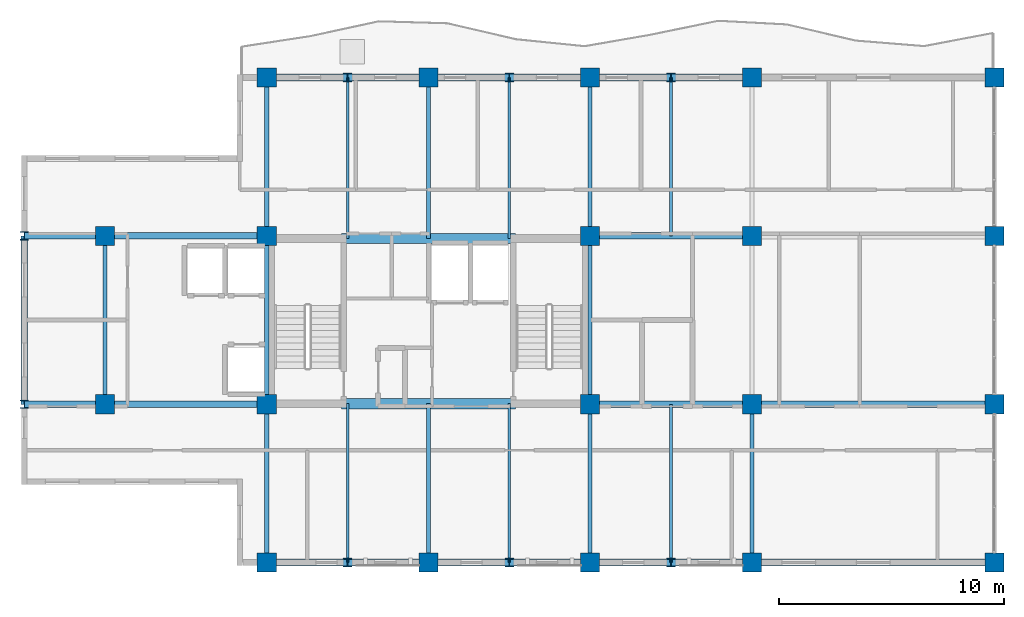
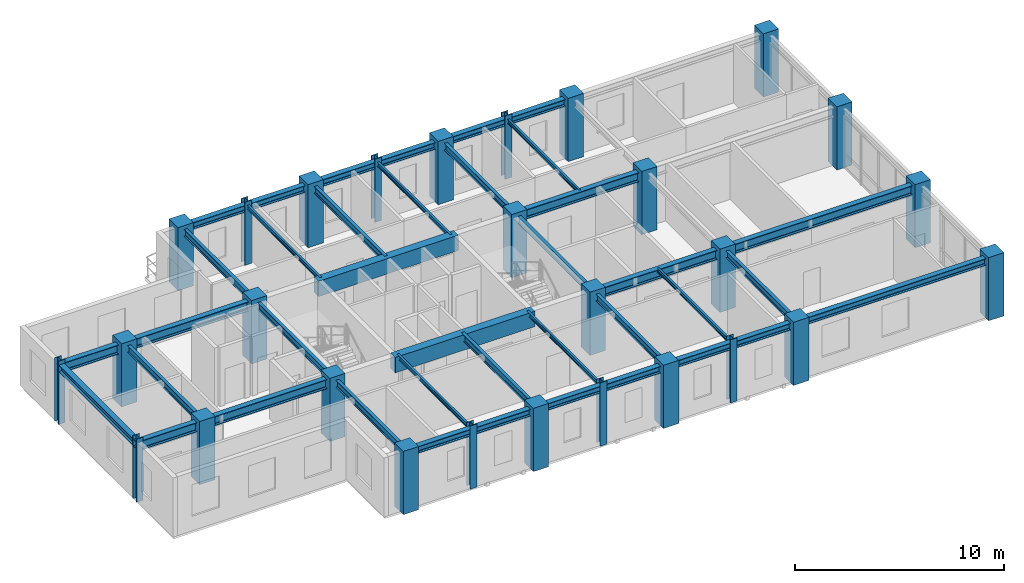
# One storey, part 1 of 10: 39 beams, 28 columns.
"""IFC4 building model written with IfcOpenShell, lengths in metres."""

from ifc_helpers import new_model, si_unit, direction, frame, origin, origin_2d, place, context, subcontext, project, spatial, rectangle, i_section, extrude, source, transform, mapped, material, material_profile, profile_set, type_object, element, save


model = new_model("IFC4")

# Units and contexts
model_context = context("Model", 3, precision=1e-05, world=origin(), true_north=direction((0.0, 1.0)))
body_context = subcontext(model_context, "Body", "Model", "MODEL_VIEW")
ifc_project = project(units=[si_unit("LENGTHUNIT", "METRE"), si_unit("AREAUNIT", "SQUARE_METRE"), si_unit("VOLUMEUNIT", "CUBIC_METRE"), si_unit("PLANEANGLEUNIT", "RADIAN"), si_unit("MASSUNIT", "GRAM", prefix="KILO")], contexts=[model_context])

# Site, building, storey
site_placement = place(None, origin())
site = spatial("IfcSite", under=ifc_project, at=site_placement, CompositionType="ELEMENT")
building_placement = place(site_placement, origin())
building = spatial("IfcBuilding", under=site, at=building_placement, Name="Kaliganga Portal Commons", CompositionType="ELEMENT")
storey_placement = place(building_placement, frame((0.0, 0.0, 279.5)))
storey = spatial("IfcBuildingStorey", under=building, at=storey_placement, Name="L72", CompositionType="ELEMENT", Elevation=279.5)

# Columns
ifc_material_1 = material(Name="Concrete C50/60", Category="concrete")
ifc_material_profile_1 = material_profile(ifc_material_1, rectangle(XDim=0.85009765625, YDim=0.85009765625, at=origin_2d()), Name="RC 850x850")
ifc_profile_set_1 = profile_set([ifc_material_profile_1], Name="Concrete C50/60")
column_type_1 = type_object("IfcColumnType", Name="COL-MEGA-Z5", PredefinedType="COLUMN", material=ifc_profile_set_1)
shared_shape_1 = source(origin(), body_context, "Body", "SweptSolid", [
    extrude(rectangle(XDim=0.85009765625, YDim=0.85009765625, at=origin_2d()), origin(), (0.0, 0.0, 1.0), 3.699951171875),
])
for number, where, z_axis, x_axis, name in (
    (1, (7.199951171875, 28.64990234375, 0.0), (0.0, 0.0, 1.0), (1.0, 0.0, 0.0), "Column MC-06 L72"),
    (2, (7.199951171875, 36.14990234375, 0.0), (0.0, 0.0, 1.0), (1.0, 0.0, 0.0), "Column MC-06 L72"),
    (3, (14.39990234375, 21.60009765625, 0.0), (0.0, 0.0, 1.0), (1.0, 0.0, 0.0), "Column MC-06 L72"),
    (4, (14.39990234375, 28.64990234375, 0.0), (0.0, 0.0, 1.0), (1.0, 0.0, 0.0), "Column MC-06 L72"),
    (5, (14.39990234375, 36.14990234375, 0.0), (0.0, 0.0, 1.0), (1.0, 0.0, 0.0), "Column MC-06 L72"),
    (6, (14.39990234375, 43.199951171875, 0.0), (0.0, 0.0, 1.0), (1.0, 0.0, 0.0), "Column MC-06 L72"),
    (7, (21.60009765625, 21.60009765625, 0.0), (0.0, 0.0, 1.0), (1.0, 0.0, 0.0), "Column MC-06 L72"),
    (8, (21.60009765625, 43.199951171875, 0.0), (0.0, 0.0, 1.0), (1.0, 0.0, 0.0), "Column MC-06 L72"),
    (9, (28.800048828125, 21.60009765625, 0.0), (0.0, 0.0, 1.0), (1.0, 0.0, 0.0), "Column MC-06 L72"),
    (10, (28.800048828125, 28.64990234375, 0.0), (0.0, 0.0, 1.0), (1.0, 0.0, 0.0), "Column MC-06 L72"),
    (11, (28.800048828125, 36.14990234375, 0.0), (0.0, 0.0, 1.0), (1.0, 0.0, 0.0), "Column MC-06 L72"),
    (12, (28.800048828125, 43.199951171875, 0.0), (0.0, 0.0, 1.0), (1.0, 0.0, 0.0), "Column MC-06 L72"),
    (13, (36.0, 21.60009765625, 0.0), (0.0, 0.0, 1.0), (1.0, 0.0, 0.0), "Column MC-06 L72"),
    (14, (36.0, 43.199951171875, 0.0), (0.0, 0.0, 1.0), (1.0, 0.0, 0.0), "Column MC-06 L72"),
    (15, (36.0, 28.64990234375, 0.0), (0.0, 0.0, 1.0), (1.0, 0.0, 0.0), "Column MC-06 L72"),
    (16, (36.0, 36.14990234375, 0.0), (0.0, 0.0, 1.0), (1.0, 0.0, 0.0), "Column MC-06 L72"),
    (17, (46.800048828125, 21.60009765625, 0.0), (0.0, 0.0, 1.0), (1.0, 0.0, 0.0), "Column MC-06 L72"),
    (18, (46.800048828125, 28.64990234375, 0.0), (0.0, 0.0, 1.0), (1.0, 0.0, 0.0), "Column MC-06 L72"),
    (19, (46.800048828125, 36.14990234375, 0.0), (0.0, 0.0, 1.0), (1.0, 0.0, 0.0), "Column MC-06 L72"),
    (20, (46.800048828125, 43.199951171875, 0.0), (0.0, 0.0, 1.0), (1.0, 0.0, 0.0), "Column MC-06 L72"),
):
    element("IfcColumn", number, at=place(storey_placement, frame(where, z_axis=z_axis, x_axis=x_axis)), inside=storey, type_object=column_type_1, Name=name, PredefinedType="COLUMN", context=body_context, shape_type="MappedRepresentation", body=[
        mapped(shared_shape_1, transform((0.0, 0.0, 0.0), x_axis=(1.0, 0.0, 0.0), y_axis=(0.0, 1.0, 0.0), z_axis=(0.0, 0.0, 1.0), scale=1.0)),
    ])
ifc_material_2 = material(Name="Structural steel S355J2", Category="steel")
ifc_material_profile_2 = material_profile(ifc_material_2, i_section(OverallWidth=0.3740234375, OverallDepth=0.3720703125, WebThickness=0.014892578125, FlangeThickness=0.02587890625, FilletRadius=0.014892578125, at=origin_2d()), Name="HD 360x196")
ifc_profile_set_2 = profile_set([ifc_material_profile_2], Name="Structural steel S355J2 wide-flange")
column_type_2 = type_object("IfcColumnType", Name="COL-TUBE-B5", PredefinedType="COLUMN", material=ifc_profile_set_2)
shared_shape_2 = source(origin(), body_context, "Body", "SweptSolid", [
    extrude(i_section(OverallWidth=0.3740234375, OverallDepth=0.3720703125, WebThickness=0.014892578125, FlangeThickness=0.02587890625, FilletRadius=0.014892578125, at=origin_2d()), origin(), (0.0, 0.0, 1.0), 3.699951171875),
])
for number, where, z_axis, x_axis, name in (
    (21, (3.60009765625, 28.64990234375, 0.0), (0.0, 0.0, 1.0), (1.0, 0.0, 0.0), "Column TC-05 L72"),
    (22, (3.60009765625, 36.14990234375, 0.0), (0.0, 0.0, 1.0), (1.0, 0.0, 0.0), "Column TC-05 L72"),
    (23, (18.0, 21.60009765625, 0.0), (0.0, 0.0, 1.0), (1.0, 0.0, 0.0), "Column TC-05 L72"),
    (24, (18.0, 43.199951171875, 0.0), (0.0, 0.0, 1.0), (1.0, 0.0, 0.0), "Column TC-05 L72"),
    (25, (25.199951171875, 21.60009765625, 0.0), (0.0, 0.0, 1.0), (1.0, 0.0, 0.0), "Column TC-05 L72"),
    (26, (25.199951171875, 43.199951171875, 0.0), (0.0, 0.0, 1.0), (1.0, 0.0, 0.0), "Column TC-05 L72"),
    (27, (32.39990234375, 21.60009765625, 0.0), (0.0, 0.0, 1.0), (1.0, 0.0, 0.0), "Column TC-05 L72"),
    (28, (32.39990234375, 43.199951171875, 0.0), (0.0, 0.0, 1.0), (1.0, 0.0, 0.0), "Column TC-05 L72"),
):
    element("IfcColumn", number, at=place(storey_placement, frame(where, z_axis=z_axis, x_axis=x_axis)), inside=storey, type_object=column_type_2, Name=name, PredefinedType="COLUMN", context=body_context, shape_type="MappedRepresentation", body=[
        mapped(shared_shape_2, transform((0.0, 0.0, 0.0), x_axis=(1.0, 0.0, 0.0), y_axis=(0.0, 1.0, 0.0), z_axis=(0.0, 0.0, 1.0), scale=1.0)),
    ])

# Beams
ifc_material_profile_3 = material_profile(ifc_material_1, rectangle(XDim=0.449951171875, YDim=0.89990234375, at=origin_2d()), Name="RC 450x900")
ifc_profile_set_3 = profile_set([ifc_material_profile_3], Name="Concrete C50/60")
beam_type_1 = type_object("IfcBeamType", Name="BM-CPL-900", PredefinedType="LINTEL", material=ifc_profile_set_3)
shared_shape_3 = source(origin(), body_context, "Body", "SweptSolid", [
    extrude(rectangle(XDim=0.449951171875, YDim=0.89990234375, at=origin_2d()), origin(), (0.0, 0.0, 1.0), 7.739990234375),
])
for number, where, z_axis, x_axis, name in (
    (29, (17.72998046875, 28.675048828125, 3.02490234375), (1.0, 0.0, 0.0), (0.0, 1.0, 0.0), "BM CPL COREA L72 S"),
    (30, (17.72998046875, 36.02490234375, 3.02490234375), (1.0, 0.0, 0.0), (0.0, 1.0, 0.0), "BM CPL COREA L72 N"),
):
    element("IfcBeam", number, at=place(storey_placement, frame(where, z_axis=z_axis, x_axis=x_axis)), inside=storey, type_object=beam_type_1, Name=name, PredefinedType="LINTEL", context=body_context, shape_type="MappedRepresentation", body=[
        mapped(shared_shape_3, transform((0.0, 0.0, 0.0), x_axis=(1.0, 0.0, 0.0), y_axis=(0.0, 1.0, 0.0), z_axis=(0.0, 0.0, 1.0), scale=1.0)),
    ])
ifc_material_profile_4 = material_profile(ifc_material_2, i_section(OverallWidth=0.300048828125, OverallDepth=0.39990234375, WebThickness=0.013427734375, FlangeThickness=0.02392578125, FilletRadius=0.027099609375, at=origin_2d()), Name="HE 400 B")
ifc_profile_set_4 = profile_set([ifc_material_profile_4], Name="Structural steel S355J2 wide-flange")
beam_type_2 = type_object("IfcBeamType", Name="BM-SPAND-400", PredefinedType="SPANDREL", material=ifc_profile_set_4)
shared_shape_4 = source(origin(), body_context, "Body", "SweptSolid", [
    extrude(i_section(OverallWidth=0.300048828125, OverallDepth=0.39990234375, WebThickness=0.013427734375, FlangeThickness=0.02392578125, FilletRadius=0.027099609375, at=origin_2d()), origin(), (0.0, 0.0, 1.0), 3.60009765625),
])
for number, where, z_axis, x_axis, name in (
    (31, (14.39990234375, 43.199951171875, 3.27490234375), (1.0, 0.0, 0.0), (0.0, 1.0, 0.0), "BM SP L72 AN 1"),
    (32, (18.0, 43.199951171875, 3.27490234375), (1.0, 0.0, 0.0), (0.0, 1.0, 0.0), "BM SP L72 AN 2"),
    (33, (25.199951171875, 43.199951171875, 3.27490234375), (1.0, 0.0, 0.0), (0.0, 1.0, 0.0), "BM SP L72 AN 4"),
    (34, (32.39990234375, 43.199951171875, 3.27490234375), (1.0, 0.0, 0.0), (0.0, 1.0, 0.0), "BM SP L72 AN 6"),
    (35, (14.39990234375, 21.60009765625, 3.27490234375), (1.0, 0.0, 0.0), (0.0, 1.0, 0.0), "BM SP L72 AS 1"),
    (36, (18.0, 21.60009765625, 3.27490234375), (1.0, 0.0, 0.0), (0.0, 1.0, 0.0), "BM SP L72 AS 2"),
    (37, (25.199951171875, 21.60009765625, 3.27490234375), (1.0, 0.0, 0.0), (0.0, 1.0, 0.0), "BM SP L72 AS 4"),
    (38, (32.39990234375, 21.60009765625, 3.27490234375), (1.0, 0.0, 0.0), (0.0, 1.0, 0.0), "BM SP L72 AS 6"),
):
    element("IfcBeam", number, at=place(storey_placement, frame(where, z_axis=z_axis, x_axis=x_axis)), inside=storey, type_object=beam_type_2, Name=name, PredefinedType="SPANDREL", context=body_context, shape_type="MappedRepresentation", body=[
        mapped(shared_shape_4, transform((0.0, 0.0, 0.0), x_axis=(1.0, 0.0, 0.0), y_axis=(0.0, 1.0, 0.0), z_axis=(0.0, 0.0, 1.0), scale=1.0)),
    ])
shared_shape_5 = source(origin(), body_context, "Body", "SweptSolid", [
    extrude(i_section(OverallWidth=0.300048828125, OverallDepth=0.39990234375, WebThickness=0.013427734375, FlangeThickness=0.02392578125, FilletRadius=0.027099609375, at=origin_2d()), origin(), (0.0, 0.0, 1.0), 3.599853515625),
])
for number, where, z_axis, x_axis, name in (
    (39, (21.60009765625, 43.199951171875, 3.27490234375), (1.0, 0.0, 0.0), (0.0, 1.0, 0.0), "BM SP L72 AN 3"),
    (40, (28.800048828125, 43.199951171875, 3.27490234375), (1.0, 0.0, 0.0), (0.0, 1.0, 0.0), "BM SP L72 AN 5"),
    (41, (21.60009765625, 21.60009765625, 3.27490234375), (1.0, 0.0, 0.0), (0.0, 1.0, 0.0), "BM SP L72 AS 3"),
    (42, (28.800048828125, 21.60009765625, 3.27490234375), (1.0, 0.0, 0.0), (0.0, 1.0, 0.0), "BM SP L72 AS 5"),
):
    element("IfcBeam", number, at=place(storey_placement, frame(where, z_axis=z_axis, x_axis=x_axis)), inside=storey, type_object=beam_type_2, Name=name, PredefinedType="SPANDREL", context=body_context, shape_type="MappedRepresentation", body=[
        mapped(shared_shape_5, transform((0.0, 0.0, 0.0), x_axis=(1.0, 0.0, 0.0), y_axis=(0.0, 1.0, 0.0), z_axis=(0.0, 0.0, 1.0), scale=1.0)),
    ])
shared_shape_6 = source(origin(), body_context, "Body", "SweptSolid", [
    extrude(i_section(OverallWidth=0.300048828125, OverallDepth=0.39990234375, WebThickness=0.013427734375, FlangeThickness=0.02392578125, FilletRadius=0.027099609375, at=origin_2d()), origin(), (0.0, 0.0, 1.0), 10.800048828125),
])
beam_1_placement = place(storey_placement, frame((36.0, 21.60009765625, 3.27490234375), z_axis=(1.0, 0.0, 0.0), x_axis=(0.0, 1.0, 0.0)))
element("IfcBeam", 43, at=beam_1_placement, inside=storey, type_object=beam_type_2, Name="BM SP L72 AS 7", PredefinedType="SPANDREL", context=body_context, shape_type="MappedRepresentation", body=[
    mapped(shared_shape_6, transform((0.0, 0.0, 0.0), x_axis=(1.0, 0.0, 0.0), y_axis=(0.0, 1.0, 0.0), z_axis=(0.0, 0.0, 1.0), scale=1.0)),
])
ifc_material_profile_5 = material_profile(ifc_material_2, i_section(OverallWidth=0.300048828125, OverallDepth=0.550048828125, WebThickness=0.014892578125, FlangeThickness=0.029052734375, FilletRadius=0.027099609375, at=origin_2d()), Name="HE 550 B")
ifc_profile_set_5 = profile_set([ifc_material_profile_5], Name="Structural steel S355J2 wide-flange")
beam_type_3 = type_object("IfcBeamType", Name="BM-GIRD-550", PredefinedType="USERDEFINED", material=ifc_profile_set_5)
shared_shape_7 = source(origin(), body_context, "Body", "SweptSolid", [
    extrude(i_section(OverallWidth=0.300048828125, OverallDepth=0.550048828125, WebThickness=0.014892578125, FlangeThickness=0.029052734375, FilletRadius=0.027099609375, at=origin_2d()), origin(), (0.0, 0.0, 1.0), 7.199951171875),
])
for number, where, z_axis, x_axis, name in (
    (44, (7.199951171875, 28.64990234375, 3.199951171875), (1.0, 0.0, 0.0), (0.0, 1.0, 0.0), "BM G L72 WAH_S 2"),
    (45, (7.199951171875, 36.14990234375, 3.199951171875), (1.0, 0.0, 0.0), (0.0, 1.0, 0.0), "BM G L72 WAH_N 2"),
    (46, (28.800048828125, 28.64990234375, 3.199951171875), (1.0, 0.0, 0.0), (0.0, 1.0, 0.0), "BM G L72 WAE_S 1"),
    (47, (28.800048828125, 36.14990234375, 3.199951171875), (1.0, 0.0, 0.0), (0.0, 1.0, 0.0), "BM G L72 WAE_N 1"),
):
    element("IfcBeam", number, at=place(storey_placement, frame(where, z_axis=z_axis, x_axis=x_axis)), inside=storey, type_object=beam_type_3, Name=name, ObjectType="GIRDER", PredefinedType="USERDEFINED", context=body_context, shape_type="MappedRepresentation", body=[
        mapped(shared_shape_7, transform((0.0, 0.0, 0.0), x_axis=(1.0, 0.0, 0.0), y_axis=(0.0, 1.0, 0.0), z_axis=(0.0, 0.0, 1.0), scale=1.0)),
    ])
shared_shape_8 = source(origin(), body_context, "Body", "SweptSolid", [
    extrude(i_section(OverallWidth=0.300048828125, OverallDepth=0.550048828125, WebThickness=0.014892578125, FlangeThickness=0.029052734375, FilletRadius=0.027099609375, at=origin_2d()), origin(), (0.0, 0.0, 1.0), 10.800048828125),
])
beam_2_placement = place(storey_placement, frame((36.0, 28.64990234375, 3.199951171875), z_axis=(1.0, 0.0, 0.0), x_axis=(0.0, 1.0, 0.0)))
element("IfcBeam", 48, at=beam_2_placement, inside=storey, type_object=beam_type_3, Name="BM G L72 WAE_S 2", ObjectType="GIRDER", PredefinedType="USERDEFINED", context=body_context, shape_type="MappedRepresentation", body=[
    mapped(shared_shape_8, transform((0.0, 0.0, 0.0), x_axis=(1.0, 0.0, 0.0), y_axis=(0.0, 1.0, 0.0), z_axis=(0.0, 0.0, 1.0), scale=1.0)),
])
shared_shape_9 = source(origin(), body_context, "Body", "SweptSolid", [
    extrude(i_section(OverallWidth=0.300048828125, OverallDepth=0.550048828125, WebThickness=0.014892578125, FlangeThickness=0.029052734375, FilletRadius=0.027099609375, at=origin_2d()), origin(), (0.0, 0.0, 1.0), 3.599853515625),
])
for number, where, z_axis, x_axis, name in (
    (49, (3.60009765625, 28.64990234375, 3.199951171875), (1.0, 0.0, 0.0), (0.0, 1.0, 0.0), "BM G L72 WAH_S 1"),
    (50, (3.60009765625, 36.14990234375, 3.199951171875), (1.0, 0.0, 0.0), (0.0, 1.0, 0.0), "BM G L72 WAH_N 1"),
):
    element("IfcBeam", number, at=place(storey_placement, frame(where, z_axis=z_axis, x_axis=x_axis)), inside=storey, type_object=beam_type_3, Name=name, ObjectType="GIRDER", PredefinedType="USERDEFINED", context=body_context, shape_type="MappedRepresentation", body=[
        mapped(shared_shape_9, transform((0.0, 0.0, 0.0), x_axis=(1.0, 0.0, 0.0), y_axis=(0.0, 1.0, 0.0), z_axis=(0.0, 0.0, 1.0), scale=1.0)),
    ])
shared_shape_10 = source(origin(), body_context, "Body", "SweptSolid", [
    extrude(i_section(OverallWidth=0.300048828125, OverallDepth=0.39990234375, WebThickness=0.013427734375, FlangeThickness=0.02392578125, FilletRadius=0.027099609375, at=origin_2d()), origin(), (0.0, 0.0, 1.0), 7.5),
])
beam_3_placement = place(storey_placement, frame((3.60009765625, 28.64990234375, 3.27490234375), z_axis=(0.0, 1.0, 0.0), x_axis=(-1.0, 0.0, 0.0)))
element("IfcBeam", 51, at=beam_3_placement, inside=storey, type_object=beam_type_2, Name="BM SP L72 AW", PredefinedType="SPANDREL", context=body_context, shape_type="MappedRepresentation", body=[
    mapped(shared_shape_10, transform((0.0, 0.0, 0.0), x_axis=(1.0, 0.0, 0.0), y_axis=(0.0, 1.0, 0.0), z_axis=(0.0, 0.0, 1.0), scale=1.0)),
])
ifc_material_profile_6 = material_profile(ifc_material_2, i_section(OverallWidth=0.179931640625, OverallDepth=0.39990234375, WebThickness=0.008544921875, FlangeThickness=0.013427734375, FilletRadius=0.02099609375, at=origin_2d()), Name="IPE 400")
ifc_profile_set_6 = profile_set([ifc_material_profile_6], Name="Structural steel S355J2 wide-flange")
beam_type_4 = type_object("IfcBeamType", Name="BM-FLR-400", PredefinedType="BEAM", material=ifc_profile_set_6)
shared_shape_11 = source(origin(), body_context, "Body", "SweptSolid", [
    extrude(i_section(OverallWidth=0.179931640625, OverallDepth=0.39990234375, WebThickness=0.008544921875, FlangeThickness=0.013427734375, FilletRadius=0.02099609375, at=origin_2d()), origin(), (0.0, 0.0, 1.0), 7.5),
])
for number, where, z_axis, x_axis, name in (
    (52, (7.199951171875, 28.64990234375, 3.27490234375), (0.0, 1.0, 0.0), (-1.0, 0.0, 0.0), "BM G L72 AW72"),
    (53, (14.39990234375, 28.64990234375, 3.27490234375), (0.0, 1.0, 0.0), (-1.0, 0.0, 0.0), "BM G L72 AM144"),
    (54, (28.800048828125, 28.64990234375, 3.27490234375), (0.0, 1.0, 0.0), (-1.0, 0.0, 0.0), "BM G L72 AM288"),
):
    element("IfcBeam", number, at=place(storey_placement, frame(where, z_axis=z_axis, x_axis=x_axis)), inside=storey, type_object=beam_type_4, Name=name, PredefinedType="BEAM", context=body_context, shape_type="MappedRepresentation", body=[
        mapped(shared_shape_11, transform((0.0, 0.0, 0.0), x_axis=(1.0, 0.0, 0.0), y_axis=(0.0, 1.0, 0.0), z_axis=(0.0, 0.0, 1.0), scale=1.0)),
    ])
shared_shape_12 = source(origin(), body_context, "Body", "SweptSolid", [
    extrude(i_section(OverallWidth=0.179931640625, OverallDepth=0.39990234375, WebThickness=0.008544921875, FlangeThickness=0.013427734375, FilletRadius=0.02099609375, at=origin_2d()), origin(), (0.0, 0.0, 1.0), 7.050048828125),
])
for number, where, z_axis, x_axis, name in (
    (55, (14.39990234375, 36.14990234375, 3.27490234375), (0.0, 1.0, 0.0), (-1.0, 0.0, 0.0), "BM G L72 AN144"),
    (56, (28.800048828125, 36.14990234375, 3.27490234375), (0.0, 1.0, 0.0), (-1.0, 0.0, 0.0), "BM G L72 AN288"),
):
    element("IfcBeam", number, at=place(storey_placement, frame(where, z_axis=z_axis, x_axis=x_axis)), inside=storey, type_object=beam_type_4, Name=name, PredefinedType="BEAM", context=body_context, shape_type="MappedRepresentation", body=[
        mapped(shared_shape_12, transform((0.0, 0.0, 0.0), x_axis=(1.0, 0.0, 0.0), y_axis=(0.0, 1.0, 0.0), z_axis=(0.0, 0.0, 1.0), scale=1.0)),
    ])
shared_shape_13 = source(origin(), body_context, "Body", "SweptSolid", [
    extrude(i_section(OverallWidth=0.179931640625, OverallDepth=0.39990234375, WebThickness=0.008544921875, FlangeThickness=0.013427734375, FilletRadius=0.02099609375, at=origin_2d()), origin(), (0.0, 0.0, 1.0), 7.0498046875),
])
for number, where, z_axis, x_axis, name in (
    (57, (14.39990234375, 21.60009765625, 3.27490234375), (0.0, 1.0, 0.0), (-1.0, 0.0, 0.0), "BM G L72 AS144"),
    (58, (28.800048828125, 21.60009765625, 3.27490234375), (0.0, 1.0, 0.0), (-1.0, 0.0, 0.0), "BM G L72 AS288"),
    (59, (36.0, 21.60009765625, 3.27490234375), (0.0, 1.0, 0.0), (-1.0, 0.0, 0.0), "BM G L72 AS360"),
):
    element("IfcBeam", number, at=place(storey_placement, frame(where, z_axis=z_axis, x_axis=x_axis)), inside=storey, type_object=beam_type_4, Name=name, PredefinedType="BEAM", context=body_context, shape_type="MappedRepresentation", body=[
        mapped(shared_shape_13, transform((0.0, 0.0, 0.0), x_axis=(1.0, 0.0, 0.0), y_axis=(0.0, 1.0, 0.0), z_axis=(0.0, 0.0, 1.0), scale=1.0)),
    ])
shared_shape_14 = source(origin(), body_context, "Body", "SweptSolid", [
    extrude(i_section(OverallWidth=0.179931640625, OverallDepth=0.39990234375, WebThickness=0.008544921875, FlangeThickness=0.013427734375, FilletRadius=0.02099609375, at=origin_2d()), origin(), (0.0, 0.0, 1.0), 7.175048828125),
])
beam_4_placement = place(storey_placement, frame((21.60009765625, 36.02490234375, 3.27490234375), z_axis=(0.0, 1.0, 0.0), x_axis=(-1.0, 0.0, 0.0)))
element("IfcBeam", 60, at=beam_4_placement, inside=storey, type_object=beam_type_4, Name="BM G L72 AN216", PredefinedType="BEAM", context=body_context, shape_type="MappedRepresentation", body=[
    mapped(shared_shape_14, transform((0.0, 0.0, 0.0), x_axis=(1.0, 0.0, 0.0), y_axis=(0.0, 1.0, 0.0), z_axis=(0.0, 0.0, 1.0), scale=1.0)),
])
shared_shape_15 = source(origin(), body_context, "Body", "SweptSolid", [
    extrude(i_section(OverallWidth=0.179931640625, OverallDepth=0.39990234375, WebThickness=0.008544921875, FlangeThickness=0.013427734375, FilletRadius=0.02099609375, at=origin_2d()), origin(), (0.0, 0.0, 1.0), 7.074951171875),
])
beam_5_placement = place(storey_placement, frame((21.60009765625, 21.60009765625, 3.27490234375), z_axis=(0.0, 1.0, 0.0), x_axis=(-1.0, 0.0, 0.0)))
element("IfcBeam", 61, at=beam_5_placement, inside=storey, type_object=beam_type_4, Name="BM G L72 AS216", PredefinedType="BEAM", context=body_context, shape_type="MappedRepresentation", body=[
    mapped(shared_shape_15, transform((0.0, 0.0, 0.0), x_axis=(1.0, 0.0, 0.0), y_axis=(0.0, 1.0, 0.0), z_axis=(0.0, 0.0, 1.0), scale=1.0)),
])
ifc_material_profile_7 = material_profile(ifc_material_2, i_section(OverallWidth=0.1201171875, OverallDepth=0.239990234375, WebThickness=0.006103515625, FlangeThickness=0.009765625, FilletRadius=0.014892578125, at=origin_2d()), Name="IPE 240")
ifc_profile_set_7 = profile_set([ifc_material_profile_7], Name="Structural steel S355J2 wide-flange")
beam_type_5 = type_object("IfcBeamType", Name="BM-JST-240", PredefinedType="JOIST", material=ifc_profile_set_7)
shared_shape_16 = source(origin(), body_context, "Body", "SweptSolid", [
    extrude(i_section(OverallWidth=0.1201171875, OverallDepth=0.239990234375, WebThickness=0.006103515625, FlangeThickness=0.009765625, FilletRadius=0.014892578125, at=origin_2d()), origin(), (0.0, 0.0, 1.0), 7.175048828125),
])
for number, where, z_axis, x_axis, name in (
    (62, (18.0, 36.02490234375, 3.35498046875), (0.0, 1.0, 0.0), (-1.0, 0.0, 0.0), "BM G L72 AN180"),
    (63, (25.199951171875, 36.02490234375, 3.35498046875), (0.0, 1.0, 0.0), (-1.0, 0.0, 0.0), "BM G L72 AN252"),
):
    element("IfcBeam", number, at=place(storey_placement, frame(where, z_axis=z_axis, x_axis=x_axis)), inside=storey, type_object=beam_type_5, Name=name, PredefinedType="JOIST", context=body_context, shape_type="MappedRepresentation", body=[
        mapped(shared_shape_16, transform((0.0, 0.0, 0.0), x_axis=(1.0, 0.0, 0.0), y_axis=(0.0, 1.0, 0.0), z_axis=(0.0, 0.0, 1.0), scale=1.0)),
    ])
shared_shape_17 = source(origin(), body_context, "Body", "SweptSolid", [
    extrude(i_section(OverallWidth=0.1201171875, OverallDepth=0.239990234375, WebThickness=0.006103515625, FlangeThickness=0.009765625, FilletRadius=0.014892578125, at=origin_2d()), origin(), (0.0, 0.0, 1.0), 7.074951171875),
])
for number, where, z_axis, x_axis, name in (
    (64, (18.0, 21.60009765625, 3.35498046875), (0.0, 1.0, 0.0), (-1.0, 0.0, 0.0), "BM G L72 AS180"),
    (65, (25.199951171875, 21.60009765625, 3.35498046875), (0.0, 1.0, 0.0), (-1.0, 0.0, 0.0), "BM G L72 AS252"),
):
    element("IfcBeam", number, at=place(storey_placement, frame(where, z_axis=z_axis, x_axis=x_axis)), inside=storey, type_object=beam_type_5, Name=name, PredefinedType="JOIST", context=body_context, shape_type="MappedRepresentation", body=[
        mapped(shared_shape_17, transform((0.0, 0.0, 0.0), x_axis=(1.0, 0.0, 0.0), y_axis=(0.0, 1.0, 0.0), z_axis=(0.0, 0.0, 1.0), scale=1.0)),
    ])
shared_shape_18 = source(origin(), body_context, "Body", "SweptSolid", [
    extrude(i_section(OverallWidth=0.1201171875, OverallDepth=0.239990234375, WebThickness=0.006103515625, FlangeThickness=0.009765625, FilletRadius=0.014892578125, at=origin_2d()), origin(), (0.0, 0.0, 1.0), 7.050048828125),
])
beam_6_placement = place(storey_placement, frame((32.39990234375, 36.14990234375, 3.35498046875), z_axis=(0.0, 1.0, 0.0), x_axis=(-1.0, 0.0, 0.0)))
element("IfcBeam", 66, at=beam_6_placement, inside=storey, type_object=beam_type_5, Name="BM G L72 AN324", PredefinedType="JOIST", context=body_context, shape_type="MappedRepresentation", body=[
    mapped(shared_shape_18, transform((0.0, 0.0, 0.0), x_axis=(1.0, 0.0, 0.0), y_axis=(0.0, 1.0, 0.0), z_axis=(0.0, 0.0, 1.0), scale=1.0)),
])
shared_shape_19 = source(origin(), body_context, "Body", "SweptSolid", [
    extrude(i_section(OverallWidth=0.1201171875, OverallDepth=0.239990234375, WebThickness=0.006103515625, FlangeThickness=0.009765625, FilletRadius=0.014892578125, at=origin_2d()), origin(), (0.0, 0.0, 1.0), 7.0498046875),
])
beam_7_placement = place(storey_placement, frame((32.39990234375, 21.60009765625, 3.35498046875), z_axis=(0.0, 1.0, 0.0), x_axis=(-1.0, 0.0, 0.0)))
element("IfcBeam", 67, at=beam_7_placement, inside=storey, type_object=beam_type_5, Name="BM G L72 AS324", PredefinedType="JOIST", context=body_context, shape_type="MappedRepresentation", body=[
    mapped(shared_shape_19, transform((0.0, 0.0, 0.0), x_axis=(1.0, 0.0, 0.0), y_axis=(0.0, 1.0, 0.0), z_axis=(0.0, 0.0, 1.0), scale=1.0)),
])

save(model, "model.ifc")
